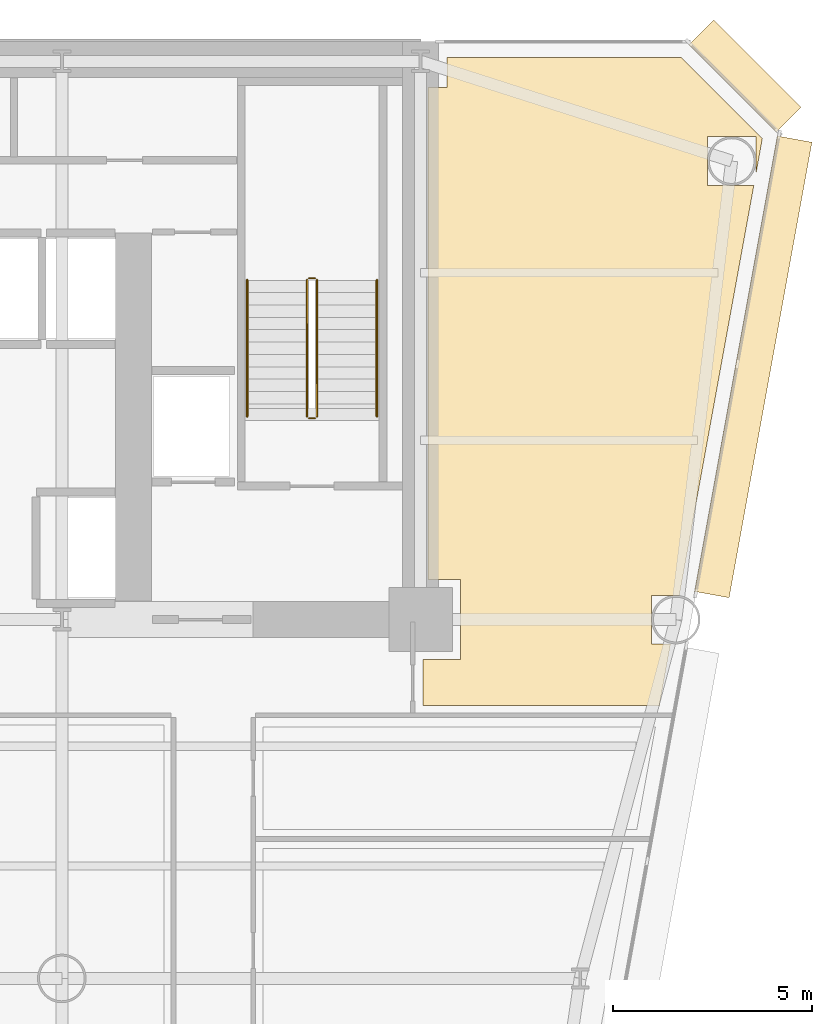
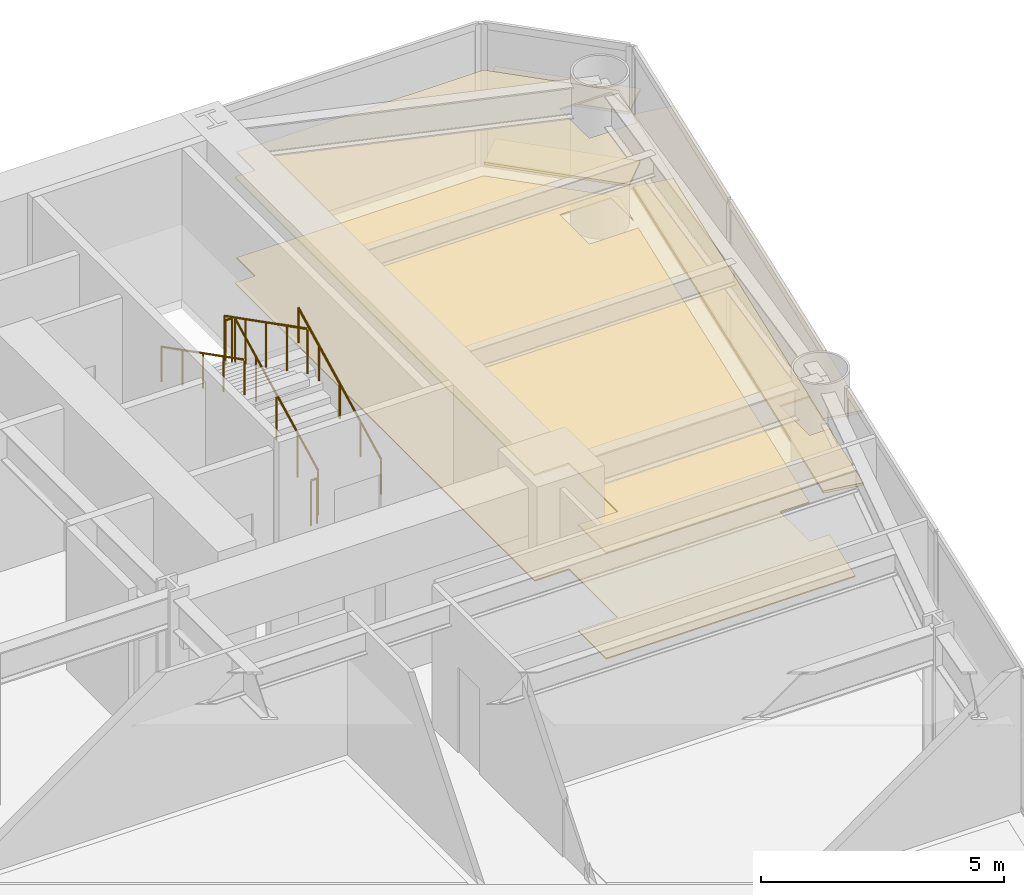
# One storey, part 14 of 14: 6 coverings, 6 railings.
"""IFC4 building model written with IfcOpenShell, lengths in metres."""

import ifcopenshell
import ifcopenshell.guid

model = None  # the IFC model being written
_history = None  # IfcOwnerHistory: only IFC2X3 demands one
_inside = {}  # id of a spatial element -> (the spatial element, [elements in it])
_under = {}  # id of a project, library or spatial element -> (it, [spatial elements below it])
_declared = {}  # id of a project -> (the project, [libraries it declares])
_typed = {}  # id of a type object -> (the type object, [elements of that type])
_made_of = {}  # id of a material, layer set ... -> (it, [elements and type objects made of it])


def new_model(schema):
    """Start an empty IFC model of exactly this schema.

    Asked for "IFC4X3", IfcOpenShell would pick the latest addendum, in which some entities
    have other attributes; the version numbers below select the first issue.
    IFC2X3 requires an IfcOwnerHistory on every rooted entity: one is made here for all.
    """
    global model, _history
    if schema == "IFC4X3":
        model = ifcopenshell.file(schema_version=(4, 3, 0, 0))
    else:
        model = ifcopenshell.file(schema=schema)
    _inside.clear()
    _under.clear()
    _declared.clear()
    _typed.clear()
    _made_of.clear()
    _history = None
    if model.schema == "IFC2X3":
        org = make("IfcOrganization", Name="unknown")
        user = make(
            "IfcPersonAndOrganization",
            ThePerson=make("IfcPerson", FamilyName="unknown"),
            TheOrganization=org,
        )
        app = make(
            "IfcApplication",
            ApplicationDeveloper=org,
            Version="unknown",
            ApplicationFullName="unknown",
            ApplicationIdentifier="unknown",
        )
        _history = make(
            "IfcOwnerHistory",
            OwningUser=user,
            OwningApplication=app,
            ChangeAction="ADDED",
            CreationDate=0,
        )
    return model


def make(cls, **values):
    """One entity of the class cls with the attributes given. An attribute that is None is left unset."""
    return model.create_entity(
        cls, **{name: value for name, value in values.items() if value is not None}
    )


def rooted(cls, **values):
    """An entity with a GlobalId (a new one), such as an element, a storey or a relation."""
    return make(cls, GlobalId=ifcopenshell.guid.new(), OwnerHistory=_history, **values)


def si_unit(unit_type, name, prefix=None):
    """IfcSIUnit, for example si_unit("LENGTHUNIT", "METRE", prefix="MILLI")."""
    return make("IfcSIUnit", UnitType=unit_type, Prefix=prefix, Name=name)


def assignment(units):
    """IfcUnitAssignment: the units of a project."""
    return None if units is None else make("IfcUnitAssignment", Units=units)


def point(xyz):
    """IfcCartesianPoint."""
    return None if xyz is None else make("IfcCartesianPoint", Coordinates=xyz)


def direction(xyz):
    """IfcDirection."""
    return None if xyz is None else make("IfcDirection", DirectionRatios=xyz)


def frame(location, z_axis=None, x_axis=None):
    """IfcAxis2Placement3D, a coordinate frame: its origin and axes. An axis left out is left unset."""
    return make(
        "IfcAxis2Placement3D",
        Location=point(location),
        Axis=direction(z_axis),
        RefDirection=direction(x_axis),
    )


def frame_2d(location, x_axis=None):
    """IfcAxis2Placement2D, a coordinate frame in the plane: its origin and x axis."""
    return make(
        "IfcAxis2Placement2D", Location=point(location), RefDirection=direction(x_axis)
    )


def origin():
    """The frame at (0, 0, 0) with its axes left unset."""
    return frame((0.0, 0.0, 0.0))


def origin_2d():
    """The frame at (0, 0) in the plane with its x axis left unset."""
    return frame_2d((0.0, 0.0))


def place(relative_to, where):
    """IfcLocalPlacement: puts the frame where relative to a parent placement (None: the world)."""
    return make(
        "IfcLocalPlacement", PlacementRelTo=relative_to, RelativePlacement=where
    )


def context(
    kind, dimensions, precision=None, world=None, true_north=None, identifier=None
):
    """IfcGeometricRepresentationContext, for example the 3D "Model" context."""
    return make(
        "IfcGeometricRepresentationContext",
        ContextIdentifier=identifier,
        ContextType=kind,
        CoordinateSpaceDimension=dimensions,
        Precision=precision,
        WorldCoordinateSystem=world,
        TrueNorth=true_north,
    )


def subcontext(parent, identifier, kind, view, scale=None):
    """IfcGeometricRepresentationSubContext, for example "Body" below "Model"."""
    return make(
        "IfcGeometricRepresentationSubContext",
        ContextIdentifier=identifier,
        ContextType=kind,
        ParentContext=parent,
        TargetScale=scale,
        TargetView=view,
    )


def project(units=None, contexts=None):
    """IfcProject with its units and contexts."""
    return rooted(
        "IfcProject",
        Name="project",
        RepresentationContexts=contexts,
        UnitsInContext=assignment(units),
    )


def spatial(cls, under=None, at=None, **own):
    """A site, building, storey or space (cls), placed at a placement, below another one or the project."""
    s = rooted(cls, ObjectPlacement=at, **own)
    if under is not None:
        _under.setdefault(under.id(), (under, []))[1].append(s)
    return s


def polyline(points):
    """IfcPolyline through the points."""
    return make("IfcPolyline", Points=[point(p) for p in points])


def profile(cls, at=None, kind="AREA", **sizes):
    """A parametric profile (cls). Its sizes go by their IFC names, for example OverallWidth=200.0."""
    return make(cls, ProfileType=kind, Position=at, **sizes)


def rectangle(**sizes):
    """IfcRectangleProfileDef."""
    return profile("IfcRectangleProfileDef", **sizes)


def circle(**sizes):
    """IfcCircleProfileDef."""
    return profile("IfcCircleProfileDef", **sizes)


def outline(outer, holes=None, kind="AREA"):
    """IfcArbitraryClosedProfileDef: a profile drawn as a closed curve; with holes, ...WithVoids."""
    if holes is None:
        return make("IfcArbitraryClosedProfileDef", ProfileType=kind, OuterCurve=outer)
    return make(
        "IfcArbitraryProfileDefWithVoids",
        ProfileType=kind,
        OuterCurve=outer,
        InnerCurves=holes,
    )


def extrude(swept, where, along, depth):
    """IfcExtrudedAreaSolid: the profile swept, set in the frame where, extruded along a direction by depth."""
    return make(
        "IfcExtrudedAreaSolid",
        SweptArea=swept,
        Position=where,
        ExtrudedDirection=direction(along),
        Depth=depth,
    )


def shape(context_of_items, identifier, shape_type, items):
    """IfcShapeRepresentation: the items that make up one representation, for example the "Body"."""
    return make(
        "IfcShapeRepresentation",
        ContextOfItems=context_of_items,
        RepresentationIdentifier=identifier,
        RepresentationType=shape_type,
        Items=items,
    )


def source(mapping_origin, context_of_items, identifier, shape_type, items):
    """IfcRepresentationMap: a shape defined once, which mapped items show again and again."""
    return make(
        "IfcRepresentationMap",
        MappingOrigin=mapping_origin,
        MappedRepresentation=shape(context_of_items, identifier, shape_type, items),
    )


def transform(
    local_origin,
    x_axis=None,
    y_axis=None,
    z_axis=None,
    scale=None,
    scale2=None,
    scale3=None,
    uniform=True,
):
    """IfcCartesianTransformationOperator3D, or its non-uniform kind. x_axis, y_axis, z_axis: its Axis1, 2, 3."""
    if uniform:
        return make(
            "IfcCartesianTransformationOperator3D",
            Axis1=direction(x_axis),
            Axis2=direction(y_axis),
            LocalOrigin=point(local_origin),
            Scale=scale,
            Axis3=direction(z_axis),
        )
    return make(
        "IfcCartesianTransformationOperator3DnonUniform",
        Axis1=direction(x_axis),
        Axis2=direction(y_axis),
        LocalOrigin=point(local_origin),
        Scale=scale,
        Axis3=direction(z_axis),
        Scale2=scale2,
        Scale3=scale3,
    )


def mapped(mapping_source, mapping_target):
    """IfcMappedItem: shows the shape of a source again, moved by a transform."""
    return make(
        "IfcMappedItem", MappingSource=mapping_source, MappingTarget=mapping_target
    )


def material(Name=None, Category=None):
    """IfcMaterial."""
    return make("IfcMaterial", Name=Name, Category=Category)


def layer(
    of_material, thickness, ventilated=None, Name=None, Category=None, Priority=None
):
    """IfcMaterialLayer: one layer of a wall or slab, of a material (None: an air gap)."""
    return make(
        "IfcMaterialLayer",
        Material=of_material,
        LayerThickness=thickness,
        IsVentilated=ventilated,
        Name=Name,
        Category=Category,
        Priority=Priority,
    )


def layer_set(layers, Name=None):
    """IfcMaterialLayerSet."""
    return make("IfcMaterialLayerSet", MaterialLayers=layers, LayerSetName=Name)


def made_of(thing, what):
    """Note that an element or type object is made of a material, layer set ...; save() writes the relation."""
    if what is not None:
        _made_of.setdefault(what.id(), (what, []))[1].append(thing)
    return thing


def type_object(cls, material=None, **own):
    """A type object (cls), such as IfcWallType, which elements share."""
    return made_of(rooted(cls, **own), material)


def element(
    cls,
    number,
    at=None,
    inside=None,
    cuts=None,
    type_object=None,
    material=None,
    context=None,
    identifier="Body",
    shape_type=None,
    held_by="IfcProductDefinitionShape",
    body=None,
    shapes=None,
    **own,
):
    """One element of the class cls, such as IfcWall. Its Tag is "e" and its number.

    at: its placement. inside: the storey or other place that contains it. cuts: it is an
    opening in that element (IfcRelVoidsElement). A single representation is given by context,
    identifier, shape_type and body (its items); several are given by shapes. held_by: the class
    of the entity that holds the representations. save() writes the other relations.
    """
    e = rooted(cls, Tag="e%d" % number, ObjectPlacement=at, **own)
    if body is not None:
        shapes = [shape(context, identifier, shape_type, body)]
    if shapes is not None:
        e.Representation = make(held_by, Representations=shapes)
    if inside is not None:
        _inside.setdefault(inside.id(), (inside, []))[1].append(e)
    if cuts is not None:
        rooted(
            "IfcRelVoidsElement", RelatingBuildingElement=cuts, RelatedOpeningElement=e
        )
    if type_object is not None:
        _typed.setdefault(type_object.id(), (type_object, []))[1].append(e)
    return made_of(e, material)


def aggregate(whole, parts):
    """IfcRelAggregates: a whole, such as a stair, and the parts it consists of."""
    return rooted("IfcRelAggregates", RelatingObject=whole, RelatedObjects=parts)


def save(model, path):
    """Write the relations noted so far, then the file.

    IfcRelAggregates (storeys below a building ...), IfcRelContainedInSpatialStructure (elements
    in a storey), IfcRelDefinesByType, IfcRelAssociatesMaterial and IfcRelDeclares: one each for
    every whole, place, type object, material and project.
    """
    for whole, parts in _under.values():
        aggregate(whole, parts)
    for where, things in _inside.values():
        rooted(
            "IfcRelContainedInSpatialStructure",
            RelatedElements=things,
            RelatingStructure=where,
        )
    for kind, things in _typed.values():
        rooted("IfcRelDefinesByType", RelatedObjects=things, RelatingType=kind)
    for what, things in _made_of.values():
        rooted("IfcRelAssociatesMaterial", RelatedObjects=things, RelatingMaterial=what)
    for by, libraries in _declared.values():
        rooted("IfcRelDeclares", RelatingContext=by, RelatedDefinitions=libraries)
    model.write(path)


model = new_model("IFC4")

# Units and contexts
model_context = context("Model", 3, precision=1e-05, world=origin(), true_north=direction((0.0, 1.0)))
body_context = subcontext(model_context, "Body", "Model", "MODEL_VIEW")
ifc_project = project(units=[si_unit("LENGTHUNIT", "METRE"), si_unit("AREAUNIT", "SQUARE_METRE"), si_unit("VOLUMEUNIT", "CUBIC_METRE"), si_unit("PLANEANGLEUNIT", "RADIAN"), si_unit("MASSUNIT", "GRAM", prefix="KILO")], contexts=[model_context])

# Site, building, storey
site_placement = place(None, origin())
site = spatial("IfcSite", under=ifc_project, at=site_placement, CompositionType="ELEMENT")
building_placement = place(site_placement, origin())
building = spatial("IfcBuilding", under=site, at=building_placement, Name="Vaeldorn Concourse Tower", CompositionType="ELEMENT")
storey_placement = place(building_placement, frame((0.0, 0.0, 34.0)))
storey = spatial("IfcBuildingStorey", under=building, at=storey_placement, Name="L08", CompositionType="ELEMENT", Elevation=34.0)

# Coverings
ifc_material_1 = material(Name="Acoustic Mineral Fibre Board", Category="gypsum")
ifc_layer_1 = layer(ifc_material_1, 0.0400390625)
ifc_layer_set_1 = layer_set([ifc_layer_1], Name="Acoustic Mineral Fibre Board")
covering_type_1 = type_object("IfcCoveringType", Name="COV-CEIL-ACOUSTIC", PredefinedType="CEILING", material=ifc_layer_set_1)
covering_1_placement = place(storey_placement, frame((0.0, 0.0, 2.64990234375)))
element("IfcCovering", 1, at=covering_1_placement, inside=storey, type_object=covering_type_1, Name="Suspended Acoustic Ceiling L08-5", PredefinedType="CEILING", context=body_context, shape_type="SweptSolid", body=[
    extrude(outline(polyline([(54.179931640625, 49.840087890625), (54.659912109375, 49.840087890625), (54.659912109375, 50.60009765625), (60.5341796875, 50.60009765625), (62.56884765625, 48.565185546875), (62.409423828125, 47.687744140625), (62.409423828125, 48.609619140625), (61.1904296875, 48.609619140625), (61.1904296875, 47.390380859375), (62.35546875, 47.390380859375), (60.525634765625, 37.320068359375), (60.525634765625, 37.320068359375), (60.4873046875, 37.109619140625), (59.79052734375, 37.109619140625), (59.79052734375, 35.890380859375), (60.265869140625, 35.890380859375), (59.984375, 34.340087890625), (54.06005859375, 34.340087890625), (54.06005859375, 35.5), (55.0, 35.5), (55.0, 37.5), (54.179931640625, 37.5), (54.179931640625, 49.840087890625)])), origin(), (0.0, 0.0, 1.0), 0.0400390625),
])
ifc_material_2 = material(Name="Honed Limestone Terrazzo Flooring", Category="masonry")
ifc_layer_2 = layer(ifc_material_2, 0.0400390625)
ifc_layer_set_2 = layer_set([ifc_layer_2], Name="Honed Limestone Terrazzo Flooring")
covering_type_2 = type_object("IfcCoveringType", Name="COV-FLOOR-STONE", PredefinedType="FLOORING", material=ifc_layer_set_2)
covering_2_placement = place(storey_placement, origin())
element("IfcCovering", 2, at=covering_2_placement, inside=storey, type_object=covering_type_2, Name="Floor Finish Covering L08-5", PredefinedType="FLOORING", context=body_context, shape_type="SweptSolid", body=[
    extrude(outline(polyline([(54.179931640625, 49.840087890625), (54.659912109375, 49.840087890625), (54.659912109375, 50.60009765625), (60.5341796875, 50.60009765625), (62.56884765625, 48.565185546875), (62.409423828125, 47.687744140625), (62.409423828125, 48.609619140625), (61.1904296875, 48.609619140625), (61.1904296875, 47.390380859375), (62.35546875, 47.390380859375), (60.525634765625, 37.320068359375), (60.525634765625, 37.320068359375), (60.4873046875, 37.109619140625), (59.79052734375, 37.109619140625), (59.79052734375, 35.890380859375), (60.265869140625, 35.890380859375), (59.984375, 34.340087890625), (54.06005859375, 34.340087890625), (54.06005859375, 35.5), (55.0, 35.5), (55.0, 37.5), (54.179931640625, 37.5), (54.179931640625, 49.840087890625)])), origin(), (0.0, 0.0, 1.0), 0.030029296875),
])

# Railings
ifc_material_3 = material(Name="Anodised Bronze Aluminium", Category="aluminium")
railing_type_1 = type_object("IfcRailingType", Name="RL-STAIR-GUARD", PredefinedType="GUARDRAIL", material=ifc_material_3)
railing_1_placement = place(storey_placement, frame((51.39990234375, 41.60009765625, 0.158447265625)))
element("IfcRailing", 3, at=railing_1_placement, inside=storey, type_object=railing_type_1, Name="L08 ST-2 stair guard 1", PredefinedType="GUARDRAIL", context=body_context, shape_type="SweptSolid", body=[
    extrude(circle(Radius=0.02392578125, at=origin_2d()), frame((0.0, 0.0, 1.1259765625), z_axis=(0.0, 0.890581635807, 0.454823427236), x_axis=(-1.0, 0.0, 0.0)), (0.0, 0.0, 1.0), 3.828857421875),
    extrude(circle(Radius=0.02099609375, at=origin_2d()), origin(), (0.0, 0.0, 1.0), 1.101806640625),
    extrude(circle(Radius=0.02099609375, at=origin_2d()), frame((0.0, 0.8525390625, 0.435302734375)), (0.0, 0.0, 1.0), 1.101806640625),
    extrude(circle(Radius=0.02099609375, at=origin_2d()), frame((0.0, 1.705078125, 0.87060546875)), (0.0, 0.0, 1.0), 1.101806640625),
    extrude(circle(Radius=0.02099609375, at=origin_2d()), frame((0.0, 2.557373046875, 1.30615234375)), (0.0, 0.0, 1.0), 1.101806640625),
    extrude(circle(Radius=0.02099609375, at=origin_2d()), frame((0.0, 3.409912109375, 1.741455078125)), (0.0, 0.0, 1.0), 1.101806640625),
])
railing_2_placement = place(storey_placement, frame((51.35009765625, 45.06005859375, 1.89990234375)))
element("IfcRailing", 4, at=railing_2_placement, inside=storey, type_object=railing_type_1, Name="L08 ST-2 stair guard 2", PredefinedType="GUARDRAIL", context=body_context, shape_type="SweptSolid", body=[
    extrude(circle(Radius=0.02392578125, at=origin_2d()), frame((0.0, 0.0, 1.1259765625), z_axis=(-1.0, 0.0, 0.0), x_axis=(0.0, -1.0, 0.0)), (0.0, 0.0, 1.0), 0.150146484375),
    extrude(circle(Radius=0.02099609375, at=origin_2d()), origin(), (0.0, 0.0, 1.0), 1.101806640625),
    extrude(circle(Radius=0.02099609375, at=origin_2d()), frame((-0.150146484375, 0.0, 0.0)), (0.0, 0.0, 1.0), 1.101806640625),
])
railing_3_placement = place(storey_placement, frame((51.14990234375, 45.010009765625, 2.058349609375)))
element("IfcRailing", 5, at=railing_3_placement, inside=storey, type_object=railing_type_1, Name="L08 ST-2 stair guard 3", PredefinedType="GUARDRAIL", context=body_context, shape_type="SweptSolid", body=[
    extrude(circle(Radius=0.02392578125, at=origin_2d()), frame((0.0, 0.0, 1.1259765625), z_axis=(0.0, -0.890555807335, 0.454873997962), x_axis=(1.0, 0.0, 0.0)), (0.0, 0.0, 1.0), 3.828857421875),
    extrude(circle(Radius=0.02099609375, at=origin_2d()), origin(), (0.0, 0.0, 1.0), 1.101806640625),
    extrude(circle(Radius=0.02099609375, at=origin_2d()), frame((0.0, -0.8525390625, 0.435546875)), (0.0, 0.0, 1.0), 1.101806640625),
    extrude(circle(Radius=0.02099609375, at=origin_2d()), frame((0.0, -1.705078125, 0.870849609375)), (0.0, 0.0, 1.0), 1.101806640625),
    extrude(circle(Radius=0.02099609375, at=origin_2d()), frame((0.0, -2.557373046875, 1.30615234375)), (0.0, 0.0, 1.0), 1.101806640625),
    extrude(circle(Radius=0.02099609375, at=origin_2d()), frame((0.0, -3.409912109375, 1.74169921875)), (0.0, 0.0, 1.0), 1.101806640625),
])
railing_4_placement = place(storey_placement, frame((51.35009765625, 41.550048828125, 0.0)))
element("IfcRailing", 6, at=railing_4_placement, inside=storey, type_object=railing_type_1, Name="L08 ST-2 stair guard 4", PredefinedType="GUARDRAIL", context=body_context, shape_type="SweptSolid", body=[
    extrude(circle(Radius=0.02392578125, at=origin_2d()), frame((0.0, 0.0, 1.1259765625), z_axis=(-1.0, 0.0, 0.0), x_axis=(0.0, -1.0, 0.0)), (0.0, 0.0, 1.0), 0.150146484375),
    extrude(circle(Radius=0.02099609375, at=origin_2d()), origin(), (0.0, 0.0, 1.0), 1.101806640625),
    extrude(circle(Radius=0.02099609375, at=origin_2d()), frame((-0.150146484375, 0.0, 0.0)), (0.0, 0.0, 1.0), 1.101806640625),
])
railing_type_2 = type_object("IfcRailingType", Name="RL-STAIR-HANDRAIL", PredefinedType="HANDRAIL", material=ifc_material_3)
railing_5_placement = place(storey_placement, frame((52.89990234375, 41.60009765625, 0.158447265625)))
element("IfcRailing", 7, at=railing_5_placement, inside=storey, type_object=railing_type_2, Name="L08 ST-2 stair handrail 1", PredefinedType="HANDRAIL", context=body_context, shape_type="SweptSolid", body=[
    extrude(circle(Radius=0.02392578125, at=origin_2d()), frame((0.0, 0.0, 0.8759765625), z_axis=(0.0, 0.890581635807, 0.454823427236), x_axis=(-1.0, 0.0, 0.0)), (0.0, 0.0, 1.0), 3.828857421875),
    extrude(circle(Radius=0.02099609375, at=origin_2d()), origin(), (0.0, 0.0, 1.0), 0.851806640625),
    extrude(circle(Radius=0.02099609375, at=origin_2d()), frame((0.0, 0.8525390625, 0.435302734375)), (0.0, 0.0, 1.0), 0.851806640625),
    extrude(circle(Radius=0.02099609375, at=origin_2d()), frame((0.0, 1.705078125, 0.87060546875)), (0.0, 0.0, 1.0), 0.851806640625),
    extrude(circle(Radius=0.02099609375, at=origin_2d()), frame((0.0, 2.557373046875, 1.30615234375)), (0.0, 0.0, 1.0), 0.851806640625),
    extrude(circle(Radius=0.02099609375, at=origin_2d()), frame((0.0, 3.409912109375, 1.741455078125)), (0.0, 0.0, 1.0), 0.851806640625),
])
railing_6_placement = place(storey_placement, frame((49.64990234375, 45.010009765625, 2.058349609375)))
element("IfcRailing", 8, at=railing_6_placement, inside=storey, type_object=railing_type_2, Name="L08 ST-2 stair handrail 2", PredefinedType="HANDRAIL", context=body_context, shape_type="SweptSolid", body=[
    extrude(circle(Radius=0.02392578125, at=origin_2d()), frame((0.0, 0.0, 0.8759765625), z_axis=(0.0, -0.890555807335, 0.454873997962), x_axis=(1.0, 0.0, 0.0)), (0.0, 0.0, 1.0), 3.828857421875),
    extrude(circle(Radius=0.02099609375, at=origin_2d()), origin(), (0.0, 0.0, 1.0), 0.851806640625),
    extrude(circle(Radius=0.02099609375, at=origin_2d()), frame((0.0, -0.8525390625, 0.435546875)), (0.0, 0.0, 1.0), 0.851806640625),
    extrude(circle(Radius=0.02099609375, at=origin_2d()), frame((0.0, -1.705078125, 0.870849609375)), (0.0, 0.0, 1.0), 0.851806640625),
    extrude(circle(Radius=0.02099609375, at=origin_2d()), frame((0.0, -2.557373046875, 1.30615234375)), (0.0, 0.0, 1.0), 0.851806640625),
    extrude(circle(Radius=0.02099609375, at=origin_2d()), frame((0.0, -3.409912109375, 1.74169921875)), (0.0, 0.0, 1.0), 0.851806640625),
])

# Coverings
ifc_layer_3 = layer(ifc_material_3, 0.06494140625)
ifc_layer_set_3 = layer_set([ifc_layer_3], Name="Anodised Bronze Aluminium")
covering_type_3 = type_object("IfcCoveringType", Name="SD-BRONZE-SUNSHADE", PredefinedType="USERDEFINED", material=ifc_layer_set_3)
shared_shape_1 = source(origin(), body_context, "Body", "SweptSolid", [
    extrude(rectangle(XDim=3.0927734375, YDim=0.8798828125, at=origin_2d()), origin(), (0.0, 0.0, 1.0), 0.06494140625),
])
for number, where, z_axis, x_axis, name in (
    (9, (62.1328125, 50.1328125, 0.047607421875), (0.0, 0.0, 1.0), (-0.707106781187, 0.707106781187, 0.0), "Horizontal Bronze Sunshade L08-E08.1.1"),
    (10, (62.1328125, 50.1328125, 1.867431640625), (0.0, 0.0, 1.0), (-0.707106781187, 0.707106781187, 0.0), "Horizontal Bronze Sunshade L08-E08.1.2"),
):
    element("IfcCovering", number, at=place(storey_placement, frame(where, z_axis=z_axis, x_axis=x_axis)), inside=storey, type_object=covering_type_3, Name=name, ObjectType="SUNSHADE", PredefinedType="USERDEFINED", context=body_context, shape_type="MappedRepresentation", body=[
        mapped(shared_shape_1, transform((0.0, 0.0, 0.0), scale=1.0)),
    ])
shared_shape_2 = source(origin(), body_context, "Body", "SweptSolid", [
    extrude(rectangle(XDim=11.610107421875, YDim=0.8798828125, at=origin_2d()), origin(), (0.0, 0.0, 1.0), 0.06494140625),
])
for number, where, z_axis, x_axis, name in (
    (11, (62.341552734375, 42.838134765625, 0.047607421875), (0.0, 0.0, 1.0), (0.178767870941, 0.983891278709, 0.0), "Horizontal Bronze Sunshade L08-E07.2.1"),
    (12, (62.341552734375, 42.838134765625, 1.867431640625), (0.0, 0.0, 1.0), (0.178767870941, 0.983891278709, 0.0), "Horizontal Bronze Sunshade L08-E07.2.2"),
):
    element("IfcCovering", number, at=place(storey_placement, frame(where, z_axis=z_axis, x_axis=x_axis)), inside=storey, type_object=covering_type_3, Name=name, ObjectType="SUNSHADE", PredefinedType="USERDEFINED", context=body_context, shape_type="MappedRepresentation", body=[
        mapped(shared_shape_2, transform((0.0, 0.0, 0.0), scale=1.0)),
    ])

save(model, "model.ifc")
